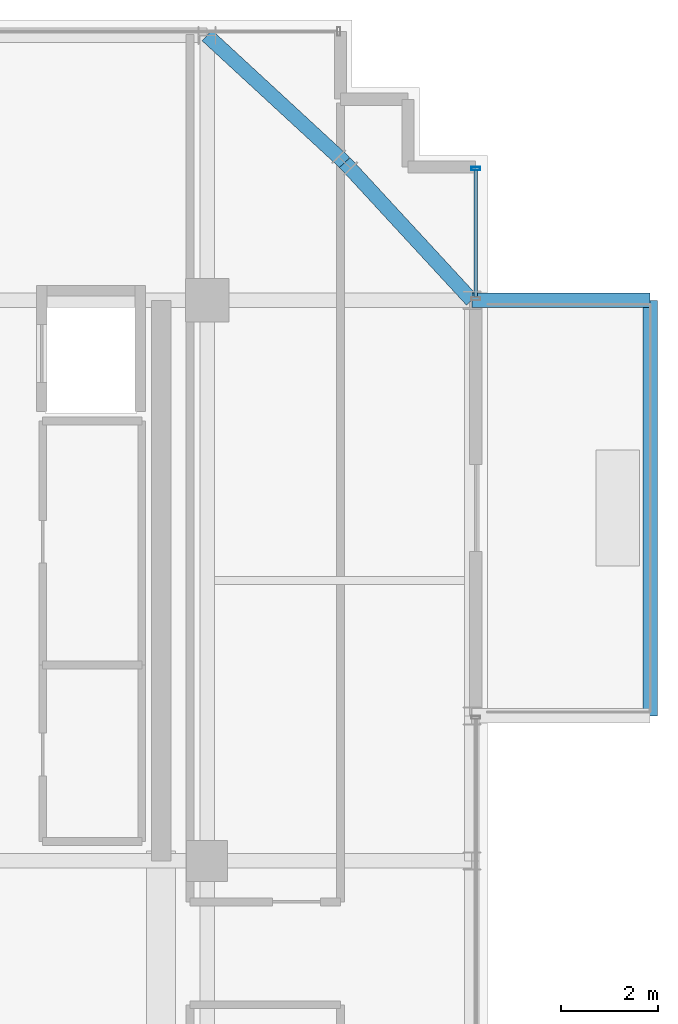
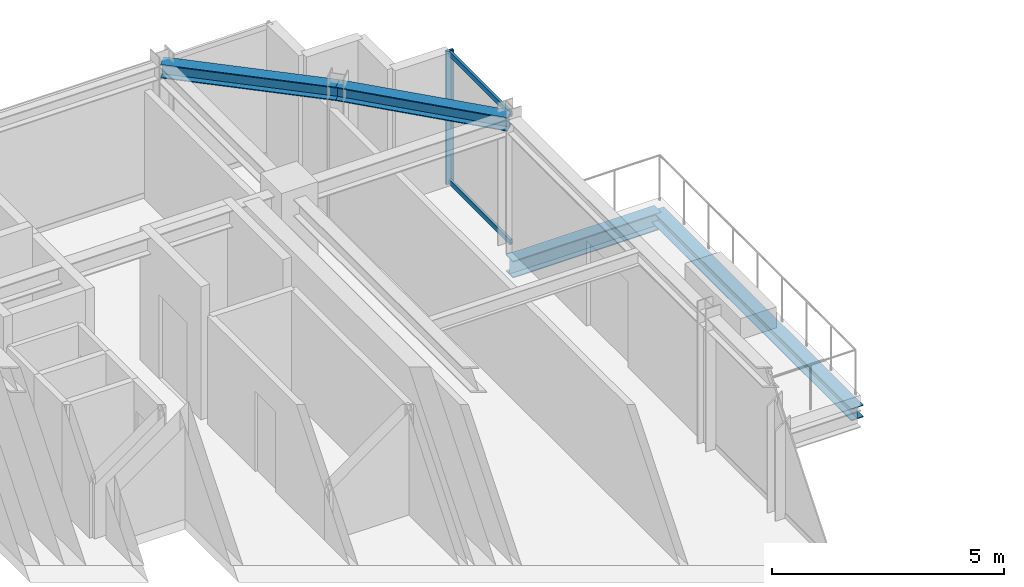
# One storey, part 24 of 33: 4 beams, 3 members, 1 element without a shape of its own.
"""IFC4 building model written with IfcOpenShell, lengths in metres."""

import ifcopenshell
import ifcopenshell.guid

model = None  # the IFC model being written
_history = None  # IfcOwnerHistory: only IFC2X3 demands one
_inside = {}  # id of a spatial element -> (the spatial element, [elements in it])
_under = {}  # id of a project, library or spatial element -> (it, [spatial elements below it])
_declared = {}  # id of a project -> (the project, [libraries it declares])
_typed = {}  # id of a type object -> (the type object, [elements of that type])
_made_of = {}  # id of a material, layer set ... -> (it, [elements and type objects made of it])


def new_model(schema):
    """Start an empty IFC model of exactly this schema.

    Asked for "IFC4X3", IfcOpenShell would pick the latest addendum, in which some entities
    have other attributes; the version numbers below select the first issue.
    IFC2X3 requires an IfcOwnerHistory on every rooted entity: one is made here for all.
    """
    global model, _history
    if schema == "IFC4X3":
        model = ifcopenshell.file(schema_version=(4, 3, 0, 0))
    else:
        model = ifcopenshell.file(schema=schema)
    _inside.clear()
    _under.clear()
    _declared.clear()
    _typed.clear()
    _made_of.clear()
    _history = None
    if model.schema == "IFC2X3":
        org = make("IfcOrganization", Name="unknown")
        user = make(
            "IfcPersonAndOrganization",
            ThePerson=make("IfcPerson", FamilyName="unknown"),
            TheOrganization=org,
        )
        app = make(
            "IfcApplication",
            ApplicationDeveloper=org,
            Version="unknown",
            ApplicationFullName="unknown",
            ApplicationIdentifier="unknown",
        )
        _history = make(
            "IfcOwnerHistory",
            OwningUser=user,
            OwningApplication=app,
            ChangeAction="ADDED",
            CreationDate=0,
        )
    return model


def make(cls, **values):
    """One entity of the class cls with the attributes given. An attribute that is None is left unset."""
    return model.create_entity(
        cls, **{name: value for name, value in values.items() if value is not None}
    )


def rooted(cls, **values):
    """An entity with a GlobalId (a new one), such as an element, a storey or a relation."""
    return make(cls, GlobalId=ifcopenshell.guid.new(), OwnerHistory=_history, **values)


def si_unit(unit_type, name, prefix=None):
    """IfcSIUnit, for example si_unit("LENGTHUNIT", "METRE", prefix="MILLI")."""
    return make("IfcSIUnit", UnitType=unit_type, Prefix=prefix, Name=name)


def assignment(units):
    """IfcUnitAssignment: the units of a project."""
    return None if units is None else make("IfcUnitAssignment", Units=units)


def point(xyz):
    """IfcCartesianPoint."""
    return None if xyz is None else make("IfcCartesianPoint", Coordinates=xyz)


def direction(xyz):
    """IfcDirection."""
    return None if xyz is None else make("IfcDirection", DirectionRatios=xyz)


def frame(location, z_axis=None, x_axis=None):
    """IfcAxis2Placement3D, a coordinate frame: its origin and axes. An axis left out is left unset."""
    return make(
        "IfcAxis2Placement3D",
        Location=point(location),
        Axis=direction(z_axis),
        RefDirection=direction(x_axis),
    )


def frame_2d(location, x_axis=None):
    """IfcAxis2Placement2D, a coordinate frame in the plane: its origin and x axis."""
    return make(
        "IfcAxis2Placement2D", Location=point(location), RefDirection=direction(x_axis)
    )


def origin():
    """The frame at (0, 0, 0) with its axes left unset."""
    return frame((0.0, 0.0, 0.0))


def origin_2d():
    """The frame at (0, 0) in the plane with its x axis left unset."""
    return frame_2d((0.0, 0.0))


def place(relative_to, where):
    """IfcLocalPlacement: puts the frame where relative to a parent placement (None: the world)."""
    return make(
        "IfcLocalPlacement", PlacementRelTo=relative_to, RelativePlacement=where
    )


def context(
    kind, dimensions, precision=None, world=None, true_north=None, identifier=None
):
    """IfcGeometricRepresentationContext, for example the 3D "Model" context."""
    return make(
        "IfcGeometricRepresentationContext",
        ContextIdentifier=identifier,
        ContextType=kind,
        CoordinateSpaceDimension=dimensions,
        Precision=precision,
        WorldCoordinateSystem=world,
        TrueNorth=true_north,
    )


def subcontext(parent, identifier, kind, view, scale=None):
    """IfcGeometricRepresentationSubContext, for example "Body" below "Model"."""
    return make(
        "IfcGeometricRepresentationSubContext",
        ContextIdentifier=identifier,
        ContextType=kind,
        ParentContext=parent,
        TargetScale=scale,
        TargetView=view,
    )


def project(units=None, contexts=None):
    """IfcProject with its units and contexts."""
    return rooted(
        "IfcProject",
        Name="project",
        RepresentationContexts=contexts,
        UnitsInContext=assignment(units),
    )


def spatial(cls, under=None, at=None, **own):
    """A site, building, storey or space (cls), placed at a placement, below another one or the project."""
    s = rooted(cls, ObjectPlacement=at, **own)
    if under is not None:
        _under.setdefault(under.id(), (under, []))[1].append(s)
    return s


def profile(cls, at=None, kind="AREA", **sizes):
    """A parametric profile (cls). Its sizes go by their IFC names, for example OverallWidth=200.0."""
    return make(cls, ProfileType=kind, Position=at, **sizes)


def hollow_rectangle(**sizes):
    """IfcRectangleHollowProfileDef."""
    return profile("IfcRectangleHollowProfileDef", **sizes)


def i_section(**sizes):
    """IfcIShapeProfileDef."""
    return profile("IfcIShapeProfileDef", **sizes)


def extrude(swept, where, along, depth):
    """IfcExtrudedAreaSolid: the profile swept, set in the frame where, extruded along a direction by depth."""
    return make(
        "IfcExtrudedAreaSolid",
        SweptArea=swept,
        Position=where,
        ExtrudedDirection=direction(along),
        Depth=depth,
    )


def shape(context_of_items, identifier, shape_type, items):
    """IfcShapeRepresentation: the items that make up one representation, for example the "Body"."""
    return make(
        "IfcShapeRepresentation",
        ContextOfItems=context_of_items,
        RepresentationIdentifier=identifier,
        RepresentationType=shape_type,
        Items=items,
    )


def source(mapping_origin, context_of_items, identifier, shape_type, items):
    """IfcRepresentationMap: a shape defined once, which mapped items show again and again."""
    return make(
        "IfcRepresentationMap",
        MappingOrigin=mapping_origin,
        MappedRepresentation=shape(context_of_items, identifier, shape_type, items),
    )


def transform(
    local_origin,
    x_axis=None,
    y_axis=None,
    z_axis=None,
    scale=None,
    scale2=None,
    scale3=None,
    uniform=True,
):
    """IfcCartesianTransformationOperator3D, or its non-uniform kind. x_axis, y_axis, z_axis: its Axis1, 2, 3."""
    if uniform:
        return make(
            "IfcCartesianTransformationOperator3D",
            Axis1=direction(x_axis),
            Axis2=direction(y_axis),
            LocalOrigin=point(local_origin),
            Scale=scale,
            Axis3=direction(z_axis),
        )
    return make(
        "IfcCartesianTransformationOperator3DnonUniform",
        Axis1=direction(x_axis),
        Axis2=direction(y_axis),
        LocalOrigin=point(local_origin),
        Scale=scale,
        Axis3=direction(z_axis),
        Scale2=scale2,
        Scale3=scale3,
    )


def mapped(mapping_source, mapping_target):
    """IfcMappedItem: shows the shape of a source again, moved by a transform."""
    return make(
        "IfcMappedItem", MappingSource=mapping_source, MappingTarget=mapping_target
    )


def material(Name=None, Category=None):
    """IfcMaterial."""
    return make("IfcMaterial", Name=Name, Category=Category)


def material_profile(
    of_material, cross_section, Name=None, Category=None, Priority=None
):
    """IfcMaterialProfile: a cross section and its material."""
    return make(
        "IfcMaterialProfile",
        Name=Name,
        Material=of_material,
        Profile=cross_section,
        Priority=Priority,
        Category=Category,
    )


def profile_set(profiles, Name=None, composite=None):
    """IfcMaterialProfileSet."""
    return make(
        "IfcMaterialProfileSet",
        Name=Name,
        MaterialProfiles=profiles,
        CompositeProfile=composite,
    )


def made_of(thing, what):
    """Note that an element or type object is made of a material, layer set ...; save() writes the relation."""
    if what is not None:
        _made_of.setdefault(what.id(), (what, []))[1].append(thing)
    return thing


def type_object(cls, material=None, **own):
    """A type object (cls), such as IfcWallType, which elements share."""
    return made_of(rooted(cls, **own), material)


def element(
    cls,
    number,
    at=None,
    inside=None,
    cuts=None,
    type_object=None,
    material=None,
    context=None,
    identifier="Body",
    shape_type=None,
    held_by="IfcProductDefinitionShape",
    body=None,
    shapes=None,
    **own,
):
    """One element of the class cls, such as IfcWall. Its Tag is "e" and its number.

    at: its placement. inside: the storey or other place that contains it. cuts: it is an
    opening in that element (IfcRelVoidsElement). A single representation is given by context,
    identifier, shape_type and body (its items); several are given by shapes. held_by: the class
    of the entity that holds the representations. save() writes the other relations.
    """
    e = rooted(cls, Tag="e%d" % number, ObjectPlacement=at, **own)
    if body is not None:
        shapes = [shape(context, identifier, shape_type, body)]
    if shapes is not None:
        e.Representation = make(held_by, Representations=shapes)
    if inside is not None:
        _inside.setdefault(inside.id(), (inside, []))[1].append(e)
    if cuts is not None:
        rooted(
            "IfcRelVoidsElement", RelatingBuildingElement=cuts, RelatedOpeningElement=e
        )
    if type_object is not None:
        _typed.setdefault(type_object.id(), (type_object, []))[1].append(e)
    return made_of(e, material)


def aggregate(whole, parts):
    """IfcRelAggregates: a whole, such as a stair, and the parts it consists of."""
    return rooted("IfcRelAggregates", RelatingObject=whole, RelatedObjects=parts)


def save(model, path):
    """Write the relations noted so far, then the file.

    IfcRelAggregates (storeys below a building ...), IfcRelContainedInSpatialStructure (elements
    in a storey), IfcRelDefinesByType, IfcRelAssociatesMaterial and IfcRelDeclares: one each for
    every whole, place, type object, material and project.
    """
    for whole, parts in _under.values():
        aggregate(whole, parts)
    for where, things in _inside.values():
        rooted(
            "IfcRelContainedInSpatialStructure",
            RelatedElements=things,
            RelatingStructure=where,
        )
    for kind, things in _typed.values():
        rooted("IfcRelDefinesByType", RelatedObjects=things, RelatingType=kind)
    for what, things in _made_of.values():
        rooted("IfcRelAssociatesMaterial", RelatedObjects=things, RelatingMaterial=what)
    for by, libraries in _declared.values():
        rooted("IfcRelDeclares", RelatingContext=by, RelatedDefinitions=libraries)
    model.write(path)


model = new_model("IFC4")

# Units and contexts
model_context = context("Model", 3, precision=1e-05, world=origin(), true_north=direction((0.0, 1.0)))
body_context = subcontext(model_context, "Body", "Model", "MODEL_VIEW")
ifc_project = project(units=[si_unit("LENGTHUNIT", "METRE"), si_unit("AREAUNIT", "SQUARE_METRE"), si_unit("VOLUMEUNIT", "CUBIC_METRE"), si_unit("PLANEANGLEUNIT", "RADIAN"), si_unit("MASSUNIT", "GRAM", prefix="KILO")], contexts=[model_context])

# Site, building, storey
site_placement = place(None, origin())
site = spatial("IfcSite", under=ifc_project, at=site_placement, CompositionType="ELEMENT")
building_placement = place(site_placement, origin())
building = spatial("IfcBuilding", under=site, at=building_placement, Name="Nahalor Promenade Grand Hotel", CompositionType="ELEMENT")
storey_placement = place(building_placement, frame((0.0, 0.0, 315.75)))
storey = spatial("IfcBuildingStorey", under=building, at=storey_placement, Name="L81", CompositionType="ELEMENT", Elevation=315.75)

# Beams
ifc_material_1 = material(Name="Steel S355JR", Category="steel")
ifc_material_profile_1 = material_profile(ifc_material_1, i_section(OverallWidth=0.3, OverallDepth=0.32, WebThickness=0.0115, FlangeThickness=0.0205, at=origin_2d()), Name="HEB 320")
ifc_profile_set_1 = profile_set([ifc_material_profile_1], Name="Steel S355JR")
beam_type_1 = type_object("IfcBeamType", Name="Beam-BalcEdge-HEB320", PredefinedType="SPANDREL", material=ifc_profile_set_1)
shared_shape_1 = source(origin(), body_context, "Body", "SweptSolid", [
    extrude(i_section(OverallWidth=0.3, OverallDepth=0.32, WebThickness=0.0115, FlangeThickness=0.0205, at=origin_2d()), origin(), (0.0, 0.0, 1.0), 8.60009765625),
])
beam_1_placement = place(storey_placement, frame((26.169921875, 8.39990234375, -0.43994140625), z_axis=(0.0, 1.0, 0.0), x_axis=(-1.0, 0.0, 0.0)))
element("IfcBeam", 1, at=beam_1_placement, inside=storey, type_object=beam_type_1, Name="BM-L81-BC-02-F", PredefinedType="SPANDREL", context=body_context, shape_type="MappedRepresentation", body=[
    mapped(shared_shape_1, transform((0.0, 0.0, 0.0), scale=1.0)),
])
ifc_material_profile_2 = material_profile(ifc_material_1, i_section(OverallWidth=0.3, OverallDepth=0.45, WebThickness=0.014, FlangeThickness=0.026, at=origin_2d()), Name="HEB 450")
ifc_profile_set_2 = profile_set([ifc_material_profile_2], Name="Steel S355JR")
beam_type_2 = type_object("IfcBeamType", Name="Beam-Outrigger-HEB450", PredefinedType="BEAM", material=ifc_profile_set_2)
shared_shape_2 = source(origin(), body_context, "Body", "SweptSolid", [
    extrude(i_section(OverallWidth=0.3, OverallDepth=0.45, WebThickness=0.014, FlangeThickness=0.026, at=origin_2d()), origin(), (0.0, 0.0, 1.0), 3.68994140625),
])
beam_2_placement = place(storey_placement, frame((22.47998046875, 17.0, -0.5048828125), z_axis=(1.0, 0.0, 0.0), x_axis=(0.0, 1.0, 0.0)))
element("IfcBeam", 2, at=beam_2_placement, inside=storey, type_object=beam_type_2, Name="BM-L81-BC-02-2", PredefinedType="BEAM", context=body_context, shape_type="MappedRepresentation", body=[
    mapped(shared_shape_2, transform((0.0, 0.0, 0.0), scale=1.0)),
])
ifc_material_profile_3 = material_profile(ifc_material_1, i_section(OverallWidth=0.3, OverallDepth=0.36, WebThickness=0.0125, FlangeThickness=0.0225, at=origin_2d()), Name="HEB 360")
ifc_profile_set_3 = profile_set([ifc_material_profile_3], Name="Steel S355JR")
beam_type_3 = type_object("IfcBeamType", Name="Beam-Spandrel-HEB360", PredefinedType="SPANDREL", material=ifc_profile_set_3)
shared_shape_3 = source(origin(), body_context, "Body", "SweptSolid", [
    extrude(i_section(OverallWidth=0.3, OverallDepth=0.36, WebThickness=0.0125, FlangeThickness=0.0225, at=origin_2d()), origin(), (0.0, 0.0, 1.0), 3.878173828125),
])
for number, where, z_axis, x_axis, name in (
    (3, (17.0, 22.47998046875, 3.320068359375), (0.73492893846, -0.678144125843, 0.0), (0.678144125843, 0.73492893846, 0.0), "BM-L81-SPC-NE-1"),
    (4, (19.85009765625, 19.85009765625, 3.320068359375), (0.678144125843, -0.73492893846, 0.0), (0.73492893846, 0.678144125843, 0.0), "BM-L81-SPC-NE-2"),
):
    element("IfcBeam", number, at=place(storey_placement, frame(where, z_axis=z_axis, x_axis=x_axis)), inside=storey, type_object=beam_type_3, Name=name, PredefinedType="SPANDREL", context=body_context, shape_type="MappedRepresentation", body=[
        mapped(shared_shape_3, transform((0.0, 0.0, 0.0), scale=1.0)),
    ])

# Curtain wall, members
ifc_material_2 = material(Name="Anodised Bronze Aluminium EN AW-6063 T6", Category="aluminium")
curtain_wall_type = type_object("IfcCurtainWallType", Name="CW2 Typical Hotel Flush Bronze Unitised Curtain Wall", PredefinedType="USERDEFINED", material=ifc_material_2)
curtain_wall_placement = place(storey_placement, origin())
curtain_wall = element("IfcCurtainWall", 5, at=curtain_wall_placement, inside=storey, type_object=curtain_wall_type, Name="L81 Curtain Wall CW-L81-E-3", ObjectType="UNITISED_CURTAIN_WALL", PredefinedType="USERDEFINED")
ifc_material_profile_4 = material_profile(ifc_material_2, hollow_rectangle(XDim=0.065, YDim=0.13, WallThickness=0.004, at=origin_2d()), Name="CWT 65x130x4")
ifc_profile_set_4 = profile_set([ifc_material_profile_4], Name="Anodised Bronze Aluminium EN AW-6063 T6")
member_type_1 = type_object("IfcMemberType", Name="CWT2 Typical Bronze Transom 65x130", PredefinedType="USERDEFINED", material=ifc_profile_set_4)
shared_shape_4 = source(origin(), body_context, "Body", "SweptSolid", [
    extrude(hollow_rectangle(XDim=0.065, YDim=0.13, WallThickness=0.004, at=origin_2d()), origin(), (0.0, 0.0, 1.0), 2.630126953125),
])
member_1_placement = place(storey_placement, frame((22.56005859375, 17.06494140625, 0.06494140625), z_axis=(0.0, 1.0, 0.0), x_axis=(-1.0, 0.0, 0.0)))
member_1 = element("IfcMember", 6, at=member_1_placement, type_object=member_type_1, Name="CW-L81-E-3 Transom 0-0", ObjectType="TRANSOM", PredefinedType="USERDEFINED", context=body_context, shape_type="MappedRepresentation", body=[
    mapped(shared_shape_4, transform((0.0, 0.0, 0.0), scale=1.0)),
])
member_2_placement = place(storey_placement, frame((22.56005859375, 17.06494140625, 3.43505859375), z_axis=(0.0, 1.0, 0.0), x_axis=(-1.0, 0.0, 0.0)))
member_2 = element("IfcMember", 7, at=member_2_placement, type_object=member_type_1, Name="CW-L81-E-3 Transom 0-1", ObjectType="TRANSOM", PredefinedType="USERDEFINED", context=body_context, shape_type="MappedRepresentation", body=[
    mapped(shared_shape_4, transform((0.0, 0.0, 0.0), scale=1.0)),
])
ifc_material_profile_5 = material_profile(ifc_material_2, hollow_rectangle(XDim=0.065, YDim=0.18, WallThickness=0.004, at=origin_2d()), Name="CWM 65x180x4")
ifc_profile_set_5 = profile_set([ifc_material_profile_5], Name="Anodised Bronze Aluminium EN AW-6063 T6")
member_type_2 = type_object("IfcMemberType", Name="CWM2 Typical Bronze Mullion 65x180", PredefinedType="MULLION", material=ifc_profile_set_5)
shared_shape_5 = source(origin(), body_context, "Body", "SweptSolid", [
    extrude(hollow_rectangle(XDim=0.065, YDim=0.18, WallThickness=0.004, at=origin_2d()), origin(), (0.0, 0.0, 1.0), 3.5),
])
member_3_placement = place(storey_placement, frame((22.56005859375, 19.7275390625, 0.0), z_axis=(0.0, 0.0, 1.0), x_axis=(0.0, 1.0, 0.0)))
member_3 = element("IfcMember", 8, at=member_3_placement, type_object=member_type_2, Name="CW-L81-E-3 Mullion 1", PredefinedType="MULLION", context=body_context, shape_type="MappedRepresentation", body=[
    mapped(shared_shape_5, transform((0.0, 0.0, 0.0), scale=1.0)),
])
aggregate(curtain_wall, [member_3, member_1, member_2])

save(model, "model.ifc")
